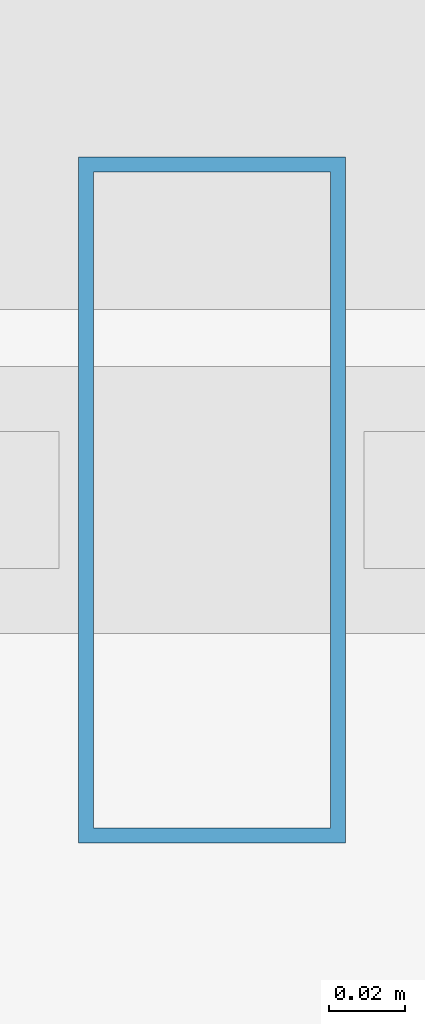
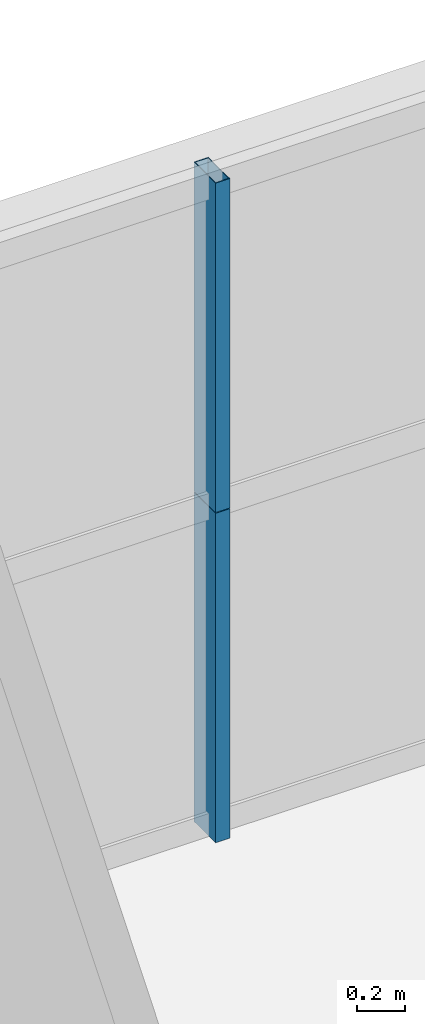
# One storey, part 34 of 45: 2 members, 1 element without a shape of its own.
"""IFC4 building model written with IfcOpenShell, lengths in metres."""

from ifc_helpers import new_model, si_unit, direction, frame, origin, origin_2d, place, context, subcontext, project, spatial, hollow_rectangle, extrude, source, transform, mapped, material, layer, layer_set, material_profile, profile_set, type_object, element, aggregate, save


model = new_model("IFC4")

# Units and contexts
model_context = context("Model", 3, precision=1e-05, world=origin(), true_north=direction((0.0, 1.0)))
body_context = subcontext(model_context, "Body", "Model", "MODEL_VIEW")
ifc_project = project(units=[si_unit("LENGTHUNIT", "METRE"), si_unit("AREAUNIT", "SQUARE_METRE"), si_unit("VOLUMEUNIT", "CUBIC_METRE"), si_unit("PLANEANGLEUNIT", "RADIAN"), si_unit("MASSUNIT", "GRAM", prefix="KILO"), si_unit("THERMODYNAMICTEMPERATUREUNIT", "KELVIN"), si_unit("POWERUNIT", "WATT")], contexts=[model_context])

# Site, building, storey
site_placement = place(None, origin())
site = spatial("IfcSite", under=ifc_project, at=site_placement, CompositionType="ELEMENT")
building_placement = place(site_placement, origin())
building = spatial("IfcBuilding", under=site, at=building_placement, Name="Yuzanri Waterfront Tower", CompositionType="ELEMENT")
storey_placement = place(building_placement, frame((0.0, 0.0, 30.60009765625)))
storey = spatial("IfcBuildingStorey", under=building, at=storey_placement, Name="L07", CompositionType="ELEMENT", Elevation=30.60009765625)

# Curtain wall, members
ifc_material_1 = material(Name="Anodized Architectural Bronze", Category="metal")
ifc_layer = layer(ifc_material_1, 0.159912109375)
ifc_layer_set = layer_set([ifc_layer], Name="Anodized Architectural Bronze")
curtain_wall_type = type_object("IfcCurtainWallType", Name="Anodized Bronze Hotel Lower-Tier Recessed Unitized Curtain Wall 8100", PredefinedType="NOTDEFINED", material=ifc_layer_set)
curtain_wall_placement = place(storey_placement, origin())
curtain_wall = element("IfcCurtainWall", 1, at=curtain_wall_placement, inside=storey, type_object=curtain_wall_type, Name="L07 Curtain Wall CW-L07-NR", PredefinedType="NOTDEFINED")
ifc_material_2 = material(Name="Anodized Architectural Bronze", Category="metal")
ifc_material_profile = material_profile(ifc_material_2, hollow_rectangle(XDim=0.070068359375, YDim=0.179931640625, WallThickness=0.00390625, at=origin_2d()), Name="CWM 70x180")
ifc_profile_set = profile_set([ifc_material_profile], Name="Anodized Architectural Bronze")
member_type = type_object("IfcMemberType", Name="Anodized Bronze Standard Curtain-Wall Mullion 70x180", PredefinedType="MULLION", material=ifc_profile_set)
shared_shape = source(origin(), body_context, "Body", "SweptSolid", [
    extrude(hollow_rectangle(XDim=0.070068359375, YDim=0.179931640625, WallThickness=0.00390625, at=origin_2d()), origin(), (0.0, 0.0, 1.0), 1.68798828125),
])
member_1_placement = place(storey_placement, frame((46.10009765625, 50.75, 0.0), z_axis=(0.0, 0.0, 1.0), x_axis=(1.0, 0.0, 0.0)))
member_1 = element("IfcMember", 2, at=member_1_placement, type_object=member_type, Name="CW-L07-NR Lower Mullion 01", PredefinedType="MULLION", context=body_context, shape_type="MappedRepresentation", body=[
    mapped(shared_shape, transform((0.0, 0.0, 0.0), scale=1.0)),
])
member_2_placement = place(storey_placement, frame((46.10009765625, 50.75, 1.69189453125), z_axis=(0.0, 0.0, 1.0), x_axis=(1.0, 0.0, 0.0)))
member_2 = element("IfcMember", 3, at=member_2_placement, type_object=member_type, Name="CW-L07-NR Upper Mullion 01", PredefinedType="MULLION", context=body_context, shape_type="MappedRepresentation", body=[
    mapped(shared_shape, transform((0.0, 0.0, 0.0), scale=1.0)),
])
aggregate(curtain_wall, [member_1, member_2])

save(model, "model.ifc")
